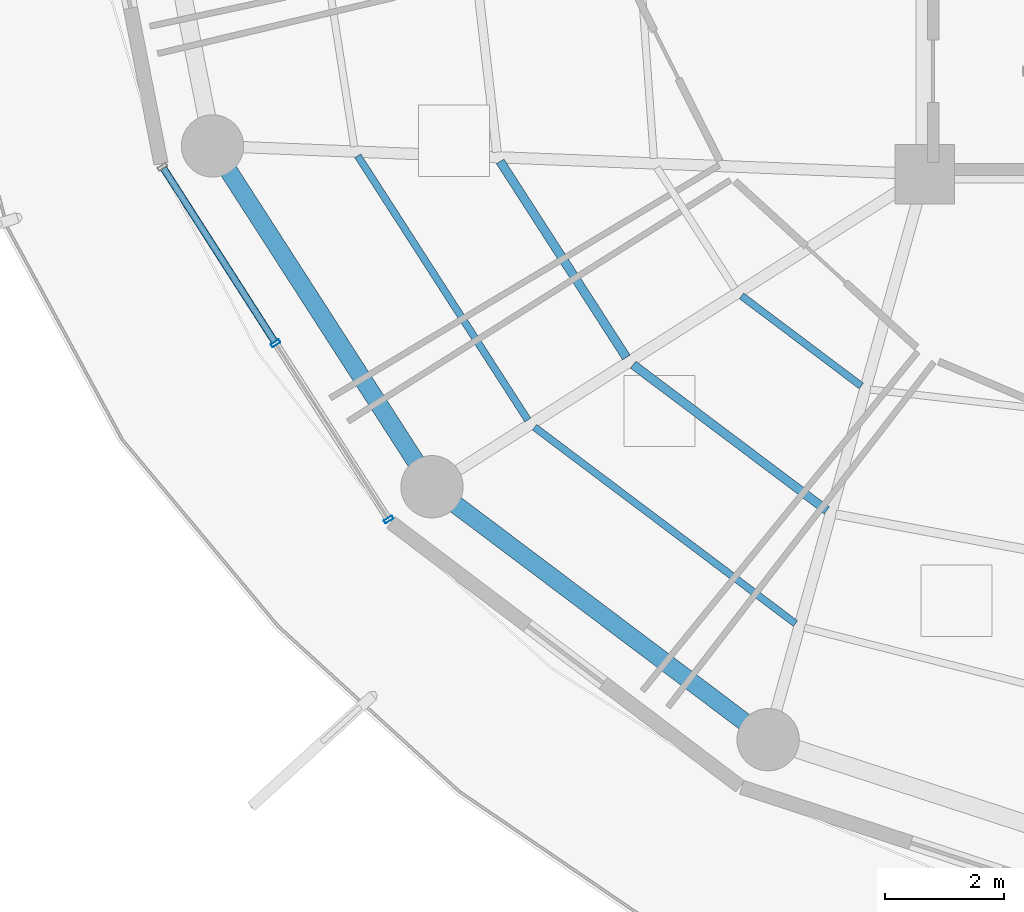
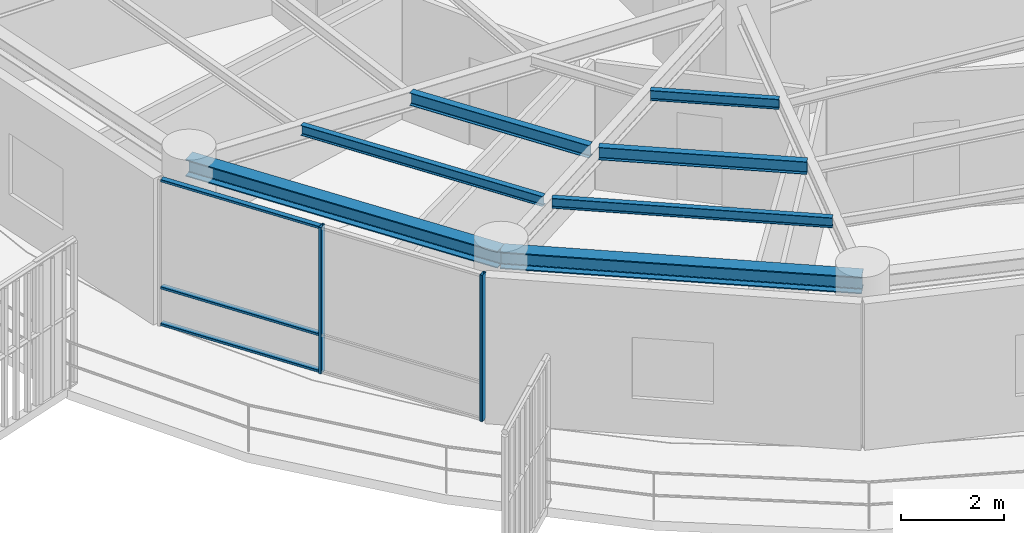
# One storey, part 2 of 31: 7 beams, 5 members, 1 element without a shape of its own.
"""IFC4 building model written with IfcOpenShell, lengths in metres."""

from ifc_helpers import new_model, si_unit, direction, frame, origin, origin_2d, place, context, subcontext, project, spatial, hollow_rectangle, i_section, extrude, material, layer, layer_set, material_profile, profile_set, type_object, element, aggregate, save


model = new_model("IFC4")

# Units and contexts
model_context = context("Model", 3, precision=1e-05, world=origin(), true_north=direction((0.0, 1.0)))
body_context = subcontext(model_context, "Body", "Model", "MODEL_VIEW")
ifc_project = project(units=[si_unit("LENGTHUNIT", "METRE"), si_unit("AREAUNIT", "SQUARE_METRE"), si_unit("VOLUMEUNIT", "CUBIC_METRE"), si_unit("PLANEANGLEUNIT", "RADIAN"), si_unit("MASSUNIT", "GRAM", prefix="KILO")], contexts=[model_context])

# Site, building, storey
site_placement = place(None, origin())
site = spatial("IfcSite", under=ifc_project, at=site_placement, CompositionType="ELEMENT")
building_placement = place(site_placement, origin())
building = spatial("IfcBuilding", under=site, at=building_placement, Name="Kelanora Arch Commons", CompositionType="ELEMENT")
storey_placement = place(building_placement, frame((0.0, 0.0, 219.449951171875)))
storey = spatial("IfcBuildingStorey", under=building, at=storey_placement, Name="L56", CompositionType="ELEMENT", Elevation=219.449951171875)

# Beams
ifc_material_1 = material(Name="Steel S355", Category="steel")
ifc_material_profile_1 = material_profile(ifc_material_1, i_section(OverallWidth=0.14990234375, OverallDepth=0.300048828125, WebThickness=0.007080078125, FlangeThickness=0.0107421875, FilletRadius=0.014892578125, at=origin_2d()), Name="IPE300")
ifc_profile_set_1 = profile_set([ifc_material_profile_1], Name="Steel S355")
beam_type_1 = type_object("IfcBeamType", Name="BM-JST-01", PredefinedType="JOIST", material=ifc_profile_set_1)
beam_1_placement = place(storey_placement, frame((58.847900390625, 51.213134765625, 3.340087890625), z_axis=(0.541411265892, -0.840757896879, 0.0), x_axis=(0.840757896879, 0.541411265892, 0.0)))
element("IfcBeam", 1, at=beam_1_placement, inside=storey, type_object=beam_type_1, Name="Secondary Chord Joist BJB-20 L56", PredefinedType="JOIST", context=body_context, shape_type="SweptSolid", body=[
    extrude(i_section(OverallWidth=0.14990234375, OverallDepth=0.300048828125, WebThickness=0.007080078125, FlangeThickness=0.0107421875, FilletRadius=0.014892578125, at=origin_2d()), origin(), (0.0, 0.0, 1.0), 3.92529296875),
])
beam_2_placement = place(storey_placement, frame((61.087158203125, 47.790283203125, 3.340087890625), z_axis=(0.799101708656, -0.601195857624, 0.0), x_axis=(0.601195857624, 0.799101708656, 0.0)))
element("IfcBeam", 2, at=beam_2_placement, inside=storey, type_object=beam_type_1, Name="Secondary Chord Joist BJB-22 L56", PredefinedType="JOIST", context=body_context, shape_type="SweptSolid", body=[
    extrude(i_section(OverallWidth=0.14990234375, OverallDepth=0.300048828125, WebThickness=0.007080078125, FlangeThickness=0.0107421875, FilletRadius=0.014892578125, at=origin_2d()), origin(), (0.0, 0.0, 1.0), 4.080810546875),
])
ifc_material_profile_2 = material_profile(ifc_material_1, i_section(OverallWidth=0.1201171875, OverallDepth=0.239990234375, WebThickness=0.006103515625, FlangeThickness=0.009765625, FilletRadius=0.014892578125, at=origin_2d()), Name="IPE240")
ifc_profile_set_2 = profile_set([ifc_material_profile_2], Name="Steel S355")
beam_type_2 = type_object("IfcBeamType", Name="BM-JST-02", PredefinedType="JOIST", material=ifc_profile_set_2)
beam_3_placement = place(storey_placement, frame((56.44873046875, 51.30810546875, 3.3701171875), z_axis=(0.541382492679, -0.840776424872, 0.0), x_axis=(0.840776424872, 0.541382492679, 0.0)))
element("IfcBeam", 3, at=beam_3_placement, inside=storey, type_object=beam_type_2, Name="Secondary Chord Joist BJC-20 L56", PredefinedType="JOIST", context=body_context, shape_type="SweptSolid", body=[
    extrude(i_section(OverallWidth=0.1201171875, OverallDepth=0.239990234375, WebThickness=0.006103515625, FlangeThickness=0.009765625, FilletRadius=0.014892578125, at=origin_2d()), origin(), (0.0, 0.0, 1.0), 5.29052734375),
])
beam_4_placement = place(storey_placement, frame((62.913330078125, 48.948486328125, 3.3701171875), z_axis=(0.79911638933, -0.601176343766, 0.0), x_axis=(0.601176343766, 0.79911638933, 0.0)))
element("IfcBeam", 4, at=beam_4_placement, inside=storey, type_object=beam_type_2, Name="Secondary Chord Joist BJA-22 L56", PredefinedType="JOIST", context=body_context, shape_type="SweptSolid", body=[
    extrude(i_section(OverallWidth=0.1201171875, OverallDepth=0.239990234375, WebThickness=0.006103515625, FlangeThickness=0.009765625, FilletRadius=0.014892578125, at=origin_2d()), origin(), (0.0, 0.0, 1.0), 2.522216796875),
])
beam_5_placement = place(storey_placement, frame((59.4267578125, 46.7373046875, 3.3701171875), z_axis=(0.799109197935, -0.601185902842, 0.0), x_axis=(0.601185902842, 0.799109197935, 0.0)))
element("IfcBeam", 5, at=beam_5_placement, inside=storey, type_object=beam_type_2, Name="Secondary Chord Joist BJC-22 L56", PredefinedType="JOIST", context=body_context, shape_type="SweptSolid", body=[
    extrude(i_section(OverallWidth=0.1201171875, OverallDepth=0.239990234375, WebThickness=0.006103515625, FlangeThickness=0.009765625, FilletRadius=0.014892578125, at=origin_2d()), origin(), (0.0, 0.0, 1.0), 5.497802734375),
])
ifc_material_profile_3 = material_profile(ifc_material_1, i_section(OverallWidth=0.300048828125, OverallDepth=0.39990234375, WebThickness=0.013427734375, FlangeThickness=0.02392578125, FilletRadius=0.027099609375, at=origin_2d()), Name="HEB400")
ifc_profile_set_3 = profile_set([ifc_material_profile_3], Name="Steel S355")
beam_type_3 = type_object("IfcBeamType", Name="BM-SPN-Z4", PredefinedType="SPANDREL", material=ifc_profile_set_3)
beam_6_placement = place(storey_placement, frame((54.00341796875, 51.474365234375, 3.2900390625), z_axis=(0.541364878868, -0.840787766281, 0.0), x_axis=(0.840787766281, 0.541364878868, 0.0)))
element("IfcBeam", 6, at=beam_6_placement, inside=storey, type_object=beam_type_3, Name="Perimeter Spandrel Beam BS-20 L56", PredefinedType="SPANDREL", context=body_context, shape_type="SweptSolid", body=[
    extrude(i_section(OverallWidth=0.300048828125, OverallDepth=0.39990234375, WebThickness=0.013427734375, FlangeThickness=0.02392578125, FilletRadius=0.027099609375, at=origin_2d()), origin(), (0.0, 0.0, 1.0), 6.825439453125),
])
beam_7_placement = place(storey_placement, frame((57.698486328125, 45.735595703125, 3.2900390625), z_axis=(0.799114211715, -0.60117923836, 0.0), x_axis=(0.60117923836, 0.799114211715, 0.0)))
element("IfcBeam", 7, at=beam_7_placement, inside=storey, type_object=beam_type_3, Name="Perimeter Spandrel Beam BS-22 L56", PredefinedType="SPANDREL", context=body_context, shape_type="SweptSolid", body=[
    extrude(i_section(OverallWidth=0.300048828125, OverallDepth=0.39990234375, WebThickness=0.013427734375, FlangeThickness=0.02392578125, FilletRadius=0.027099609375, at=origin_2d()), origin(), (0.0, 0.0, 1.0), 7.0849609375),
])

# Curtain wall, members
ifc_material_2 = material(Name="Terracotta ceramic-fritted low-E glass and aluminium", Category="masonry")
ifc_layer = layer(ifc_material_2, 0.175048828125)
ifc_layer_set = layer_set([ifc_layer], Name="Terracotta ceramic-fritted low-E glass and aluminium")
curtain_wall_type = type_object("IfcCurtainWallType", Name="CW-SYS-02", PredefinedType="NOTDEFINED", material=ifc_layer_set)
curtain_wall_placement = place(storey_placement, origin())
curtain_wall = element("IfcCurtainWall", 8, at=curtain_wall_placement, inside=storey, type_object=curtain_wall_type, Name="Unitised Curtain Wall L56-B10", PredefinedType="NOTDEFINED")
ifc_material_3 = material(Name="Powder-coated aluminium terracotta", Category="masonry")
ifc_material_profile_4 = material_profile(ifc_material_3, hollow_rectangle(XDim=0.159912109375, YDim=0.06005859375, WallThickness=0.0048828125, InnerFilletRadius=0.0048828125, OuterFilletRadius=0.010009765625, at=origin_2d()), Name="CWM160x60")
ifc_profile_set_4 = profile_set([ifc_material_profile_4], Name="Powder-coated aluminium terracotta")
member_type_1 = type_object("IfcMemberType", Name="CWM-STD", PredefinedType="MULLION", material=ifc_profile_set_4)
member_1_placement = place(storey_placement, frame((55.06640625, 48.15185546875, 0.0), z_axis=(0.0, 0.0, 1.0), x_axis=(0.84194757539, 0.539559338994, 0.0)))
member_1 = element("IfcMember", 9, at=member_1_placement, type_object=member_type_1, Name="CW-02 mullion 2", PredefinedType="MULLION", context=body_context, shape_type="SweptSolid", body=[
    extrude(hollow_rectangle(XDim=0.159912109375, YDim=0.06005859375, WallThickness=0.0048828125, InnerFilletRadius=0.0048828125, OuterFilletRadius=0.010009765625, at=origin_2d()), origin(), (0.0, 0.0, 1.0), 3.47509765625),
])
member_2_placement = place(storey_placement, frame((56.969482421875, 45.18212890625, 0.0), z_axis=(0.0, 0.0, 1.0), x_axis=(0.84194757539, 0.539559338994, 0.0)))
member_2 = element("IfcMember", 10, at=member_2_placement, type_object=member_type_1, Name="CW-02 mullion 3", PredefinedType="MULLION", context=body_context, shape_type="SweptSolid", body=[
    extrude(hollow_rectangle(XDim=0.159912109375, YDim=0.06005859375, WallThickness=0.0048828125, InnerFilletRadius=0.0048828125, OuterFilletRadius=0.010009765625, at=origin_2d()), origin(), (0.0, 0.0, 1.0), 3.47509765625),
])
ifc_material_profile_5 = material_profile(ifc_material_3, hollow_rectangle(XDim=0.1201171875, YDim=0.06005859375, WallThickness=0.0048828125, InnerFilletRadius=0.0048828125, OuterFilletRadius=0.010009765625, at=origin_2d()), Name="CWT120x60")
ifc_profile_set_5 = profile_set([ifc_material_profile_5], Name="Powder-coated aluminium terracotta")
member_type_2 = type_object("IfcMemberType", Name="CWT-STD", PredefinedType="USERDEFINED", material=ifc_profile_set_5)
member_3_placement = place(storey_placement, frame((53.17919921875, 51.096435546875, 0.030029296875), z_axis=(0.539579095642, -0.84193491408, 0.0), x_axis=(0.84193491408, 0.539579095642, 0.0)))
member_3 = element("IfcMember", 11, at=member_3_placement, type_object=member_type_2, Name="CW-02 transom 1.1", ObjectType="TRANSOM", PredefinedType="USERDEFINED", context=body_context, shape_type="SweptSolid", body=[
    extrude(hollow_rectangle(XDim=0.1201171875, YDim=0.06005859375, WallThickness=0.0048828125, InnerFilletRadius=0.0048828125, OuterFilletRadius=0.010009765625, at=origin_2d()), origin(), (0.0, 0.0, 1.0), 3.46728515625),
])
member_4_placement = place(storey_placement, frame((53.17919921875, 51.096435546875, 0.900146484375), z_axis=(0.539579095642, -0.84193491408, 0.0), x_axis=(0.84193491408, 0.539579095642, 0.0)))
member_4 = element("IfcMember", 12, at=member_4_placement, type_object=member_type_2, Name="CW-02 transom 1.2", ObjectType="TRANSOM", PredefinedType="USERDEFINED", context=body_context, shape_type="SweptSolid", body=[
    extrude(hollow_rectangle(XDim=0.1201171875, YDim=0.06005859375, WallThickness=0.0048828125, InnerFilletRadius=0.0048828125, OuterFilletRadius=0.010009765625, at=origin_2d()), origin(), (0.0, 0.0, 1.0), 3.46728515625),
])
member_5_placement = place(storey_placement, frame((53.17919921875, 51.096435546875, 3.445068359375), z_axis=(0.539579095642, -0.84193491408, 0.0), x_axis=(0.84193491408, 0.539579095642, 0.0)))
member_5 = element("IfcMember", 13, at=member_5_placement, type_object=member_type_2, Name="CW-02 transom 1.3", ObjectType="TRANSOM", PredefinedType="USERDEFINED", context=body_context, shape_type="SweptSolid", body=[
    extrude(hollow_rectangle(XDim=0.1201171875, YDim=0.06005859375, WallThickness=0.0048828125, InnerFilletRadius=0.0048828125, OuterFilletRadius=0.010009765625, at=origin_2d()), origin(), (0.0, 0.0, 1.0), 3.46728515625),
])
aggregate(curtain_wall, [member_1, member_2, member_3, member_4, member_5])

save(model, "model.ifc")
